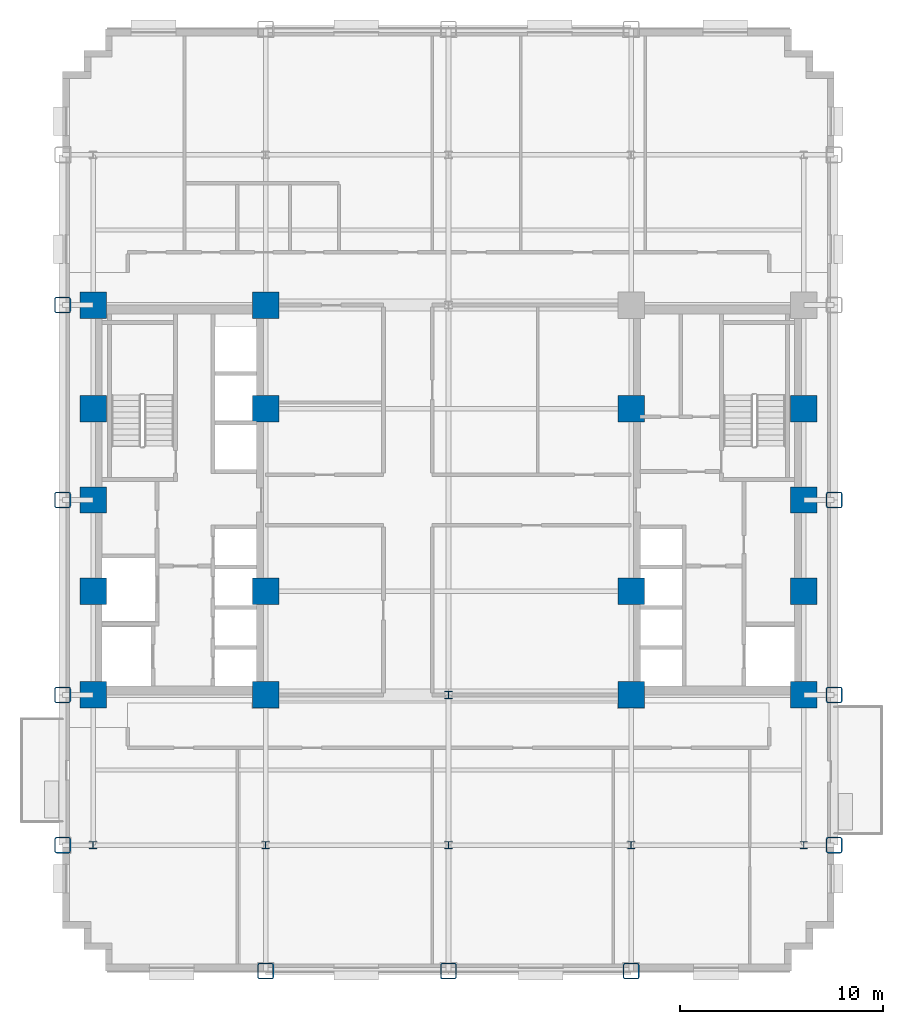
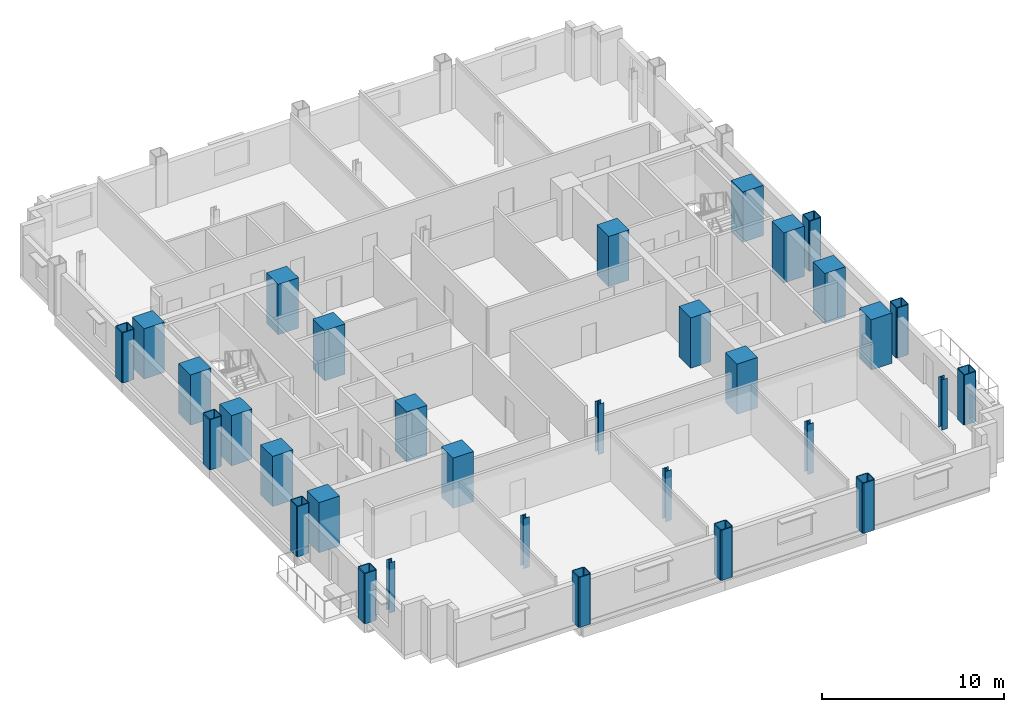
# One storey, part 1 of 12: 32 columns.
"""IFC4 building model written with IfcOpenShell, lengths in metres."""

from ifc_helpers import new_model, si_unit, direction, frame, origin, origin_2d, place, context, subcontext, project, spatial, rectangle, hollow_rectangle, i_section, extrude, material, material_profile, profile_set, type_object, element, save


model = new_model("IFC4")

# Units and contexts
model_context = context("Model", 3, precision=1e-05, world=origin(), true_north=direction((0.0, 1.0)))
body_context = subcontext(model_context, "Body", "Model", "MODEL_VIEW")
ifc_project = project(units=[si_unit("LENGTHUNIT", "METRE"), si_unit("AREAUNIT", "SQUARE_METRE"), si_unit("VOLUMEUNIT", "CUBIC_METRE"), si_unit("PLANEANGLEUNIT", "RADIAN"), si_unit("MASSUNIT", "GRAM", prefix="KILO")], contexts=[model_context])

# Site, building, storey
site_placement = place(None, origin())
site = spatial("IfcSite", under=ifc_project, at=site_placement, CompositionType="ELEMENT")
building_placement = place(site_placement, origin())
building = spatial("IfcBuilding", under=site, at=building_placement, Name="Nuvemarco Arch Tower", CompositionType="ELEMENT")
storey_placement = place(building_placement, frame((0.0, 0.0, 42.199951171875)))
storey = spatial("IfcBuildingStorey", under=building, at=storey_placement, Name="L10", CompositionType="ELEMENT", Elevation=42.199951171875)

# Columns
ifc_material_1 = material(Name="Concrete C60/75", Category="concrete")
ifc_material_profile_1 = material_profile(ifc_material_1, rectangle(XDim=1.300048828125, YDim=1.300048828125, at=origin_2d()), Name="RC-COL-1300x1300")
ifc_profile_set_1 = profile_set([ifc_material_profile_1], Name="Concrete C60/75")
column_type_1 = type_object("IfcColumnType", Name="COL-CORE-1300", PredefinedType="COLUMN", material=ifc_profile_set_1)
for number, where, z_axis, x_axis, name in (
    (1, (-17.5, -9.60009765625, 0.0), (0.0, 0.0, 1.0), (1.0, 0.0, 0.0), "L10 column CC_-17.5_-9.6"),
    (2, (-17.5, -4.5, 0.0), (0.0, 0.0, 1.0), (1.0, 0.0, 0.0), "L10 column CC_-17.5_-4.5"),
    (3, (-17.5, 4.5, 0.0), (0.0, 0.0, 1.0), (1.0, 0.0, 0.0), "L10 column CC_-17.5_+4.5"),
    (4, (-17.5, 9.60009765625, 0.0), (0.0, 0.0, 1.0), (1.0, 0.0, 0.0), "L10 column CC_-17.5_+9.6"),
    (5, (-9.0, -9.60009765625, 0.0), (0.0, 0.0, 1.0), (1.0, 0.0, 0.0), "L10 column CC_-9.0_-9.6"),
    (6, (-9.0, -4.5, 0.0), (0.0, 0.0, 1.0), (1.0, 0.0, 0.0), "L10 column CC_-9.0_-4.5"),
    (7, (-9.0, 4.5, 0.0), (0.0, 0.0, 1.0), (1.0, 0.0, 0.0), "L10 column CC_-9.0_+4.5"),
    (8, (-9.0, 9.60009765625, 0.0), (0.0, 0.0, 1.0), (1.0, 0.0, 0.0), "L10 column CC_-9.0_+9.6"),
    (9, (9.0, -9.60009765625, 0.0), (0.0, 0.0, 1.0), (1.0, 0.0, 0.0), "L10 column CC_+9.0_-9.6"),
    (10, (9.0, -4.5, 0.0), (0.0, 0.0, 1.0), (1.0, 0.0, 0.0), "L10 column CC_+9.0_-4.5"),
    (11, (9.0, 4.5, 0.0), (0.0, 0.0, 1.0), (1.0, 0.0, 0.0), "L10 column CC_+9.0_+4.5"),
    (12, (17.5, -9.60009765625, 0.0), (0.0, 0.0, 1.0), (1.0, 0.0, 0.0), "L10 column CC_+17.5_-9.6"),
    (13, (17.5, -4.5, 0.0), (0.0, 0.0, 1.0), (1.0, 0.0, 0.0), "L10 column CC_+17.5_-4.5"),
    (14, (17.5, 4.5, 0.0), (0.0, 0.0, 1.0), (1.0, 0.0, 0.0), "L10 column CC_+17.5_+4.5"),
    (15, (-17.5, 0.0, 0.0), (0.0, 0.0, 1.0), (1.0, 0.0, 0.0), "L10 column CC_-17.5_+0.0"),
    (16, (17.5, 0.0, 0.0), (0.0, 0.0, 1.0), (1.0, 0.0, 0.0), "L10 column CC_+17.5_+0.0"),
):
    element("IfcColumn", number, at=place(storey_placement, frame(where, z_axis=z_axis, x_axis=x_axis)), inside=storey, type_object=column_type_1, Name=name, PredefinedType="COLUMN", context=body_context, shape_type="SweptSolid", body=[
        extrude(rectangle(XDim=1.300048828125, YDim=1.300048828125, at=origin_2d()), origin(), (0.0, 0.0, 1.0), 3.3701171875),
    ])
ifc_material_2 = material(Name="Steel S460", Category="steel")
ifc_material_profile_2 = material_profile(ifc_material_2, hollow_rectangle(XDim=0.800048828125, YDim=0.800048828125, WallThickness=0.054931640625, InnerFilletRadius=0.054931640625, OuterFilletRadius=0.110107421875, at=origin_2d()), Name="SHS800x800x55")
ifc_profile_set_2 = profile_set([ifc_material_profile_2], Name="Steel S460")
column_type_2 = type_object("IfcColumnType", Name="COL-EXO-800", PredefinedType="COLUMN", material=ifc_profile_set_2)
for number, where, z_axis, x_axis, name in (
    (17, (-19.0, -17.0, 0.0), (0.0, 0.0, 1.0), (1.0, 0.0, 0.0), "L10 column CX_-19.0_-17.0"),
    (18, (-19.0, -9.60009765625, 0.0), (0.0, 0.0, 1.0), (1.0, 0.0, 0.0), "L10 column CX_-19.0_-9.6"),
    (19, (-19.0, 0.0, 0.0), (0.0, 0.0, 1.0), (1.0, 0.0, 0.0), "L10 column CX_-19.0_+0.0"),
    (20, (-19.0, 9.60009765625, 0.0), (0.0, 0.0, 1.0), (1.0, 0.0, 0.0), "L10 column CX_-19.0_+9.6"),
    (21, (19.0, -17.0, 0.0), (0.0, 0.0, 1.0), (1.0, 0.0, 0.0), "L10 column CX_+19.0_-17.0"),
    (22, (19.0, -9.60009765625, 0.0), (0.0, 0.0, 1.0), (1.0, 0.0, 0.0), "L10 column CX_+19.0_-9.6"),
    (23, (19.0, 0.0, 0.0), (0.0, 0.0, 1.0), (1.0, 0.0, 0.0), "L10 column CX_+19.0_+0.0"),
    (24, (-9.0, -23.199951171875, 0.0), (0.0, 0.0, 1.0), (1.0, 0.0, 0.0), "L10 column CY_-9.0_-23.2"),
    (25, (0.0, -23.199951171875, 0.0), (0.0, 0.0, 1.0), (1.0, 0.0, 0.0), "L10 column CY_+0.0_-23.2"),
    (26, (9.0, -23.199951171875, 0.0), (0.0, 0.0, 1.0), (1.0, 0.0, 0.0), "L10 column CY_+9.0_-23.2"),
):
    element("IfcColumn", number, at=place(storey_placement, frame(where, z_axis=z_axis, x_axis=x_axis)), inside=storey, type_object=column_type_2, Name=name, PredefinedType="COLUMN", context=body_context, shape_type="SweptSolid", body=[
        extrude(hollow_rectangle(XDim=0.800048828125, YDim=0.800048828125, WallThickness=0.054931640625, InnerFilletRadius=0.054931640625, OuterFilletRadius=0.110107421875, at=origin_2d()), origin(), (0.0, 0.0, 1.0), 3.3701171875),
    ])
ifc_material_3 = material(Name="Steel S355", Category="steel")
ifc_material_profile_3 = material_profile(ifc_material_3, i_section(OverallWidth=0.360107421875, OverallDepth=0.360107421875, WebThickness=0.0205078125, FlangeThickness=0.0205078125, FilletRadius=0.01806640625, at=origin_2d()), Name="HP360x174")
ifc_profile_set_3 = profile_set([ifc_material_profile_3], Name="Steel S355")
column_type_3 = type_object("IfcColumnType", Name="COL-STL-HP360", PredefinedType="COLUMN", material=ifc_profile_set_3)
for number, where, z_axis, x_axis, name in (
    (27, (0.0, -17.0, 0.0), (0.0, 0.0, 1.0), (1.0, 0.0, 0.0), "L10 column CI_+0.0_-17.0"),
    (28, (0.0, -9.60009765625, 0.0), (0.0, 0.0, 1.0), (1.0, 0.0, 0.0), "L10 column CI_+0.0_-9.6"),
    (29, (-17.5, -17.0, 0.0), (0.0, 0.0, 1.0), (1.0, 0.0, 0.0), "L10 column CI_-17.5_-17.0"),
    (30, (-9.0, -17.0, 0.0), (0.0, 0.0, 1.0), (1.0, 0.0, 0.0), "L10 column CI_-9.0_-17.0"),
    (31, (9.0, -17.0, 0.0), (0.0, 0.0, 1.0), (1.0, 0.0, 0.0), "L10 column CI_+9.0_-17.0"),
    (32, (17.5, -17.0, 0.0), (0.0, 0.0, 1.0), (1.0, 0.0, 0.0), "L10 column CI_+17.5_-17.0"),
):
    element("IfcColumn", number, at=place(storey_placement, frame(where, z_axis=z_axis, x_axis=x_axis)), inside=storey, type_object=column_type_3, Name=name, PredefinedType="COLUMN", context=body_context, shape_type="SweptSolid", body=[
        extrude(i_section(OverallWidth=0.360107421875, OverallDepth=0.360107421875, WebThickness=0.0205078125, FlangeThickness=0.0205078125, FilletRadius=0.01806640625, at=origin_2d()), origin(), (0.0, 0.0, 1.0), 3.3701171875),
    ])

save(model, "model.ifc")
